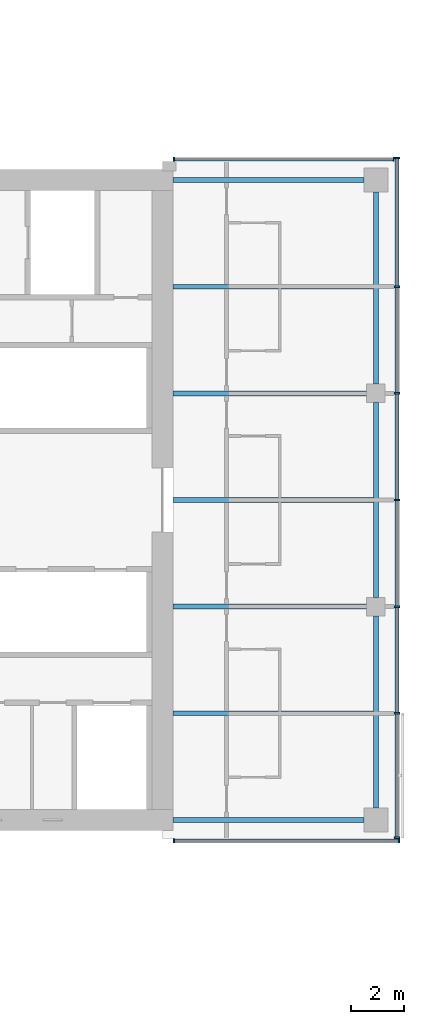
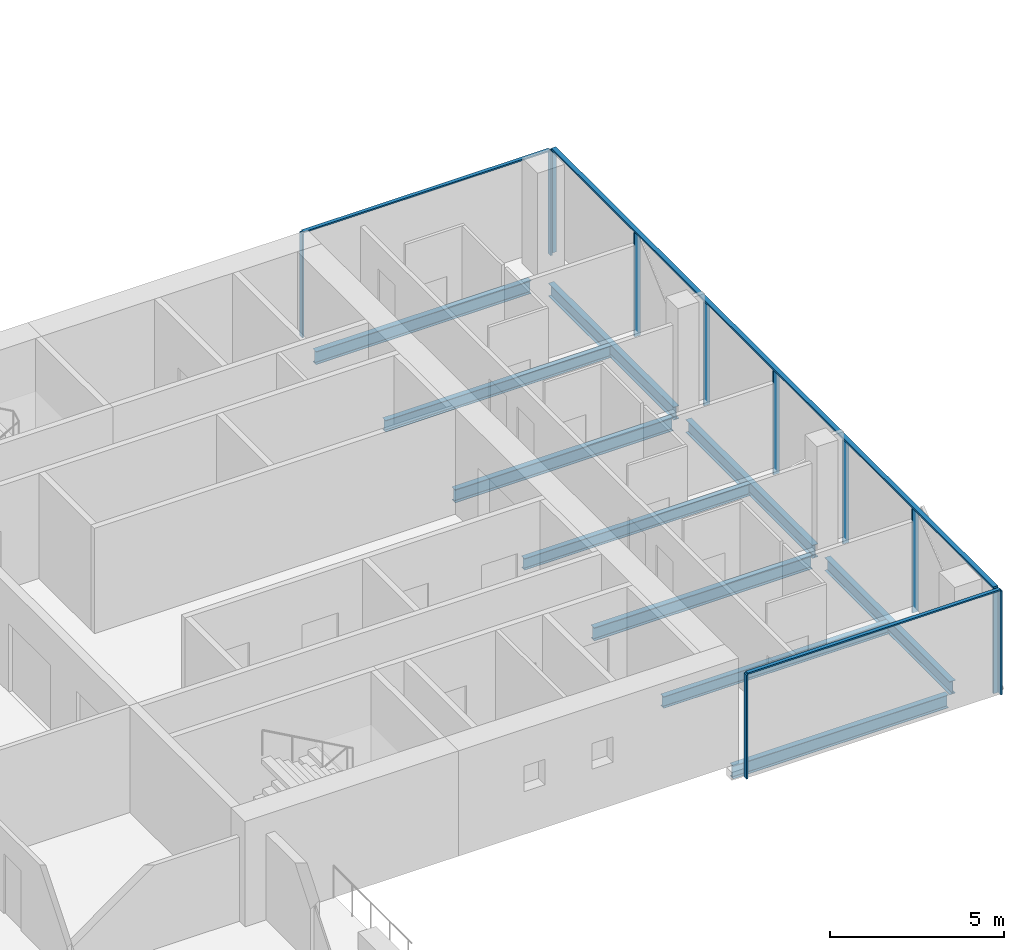
# One storey, part 11 of 29: 14 members, 10 beams, 3 elements without a shape of their own.
"""IFC4 building model written with IfcOpenShell, lengths in metres."""

from ifc_helpers import new_model, si_unit, direction, frame, origin, origin_2d, place, context, subcontext, project, spatial, rectangle, i_section, extrude, material, material_profile, profile_set, type_object, element, aggregate, save


model = new_model("IFC4")

# Units and contexts
model_context = context("Model", 3, precision=1e-05, world=origin(), true_north=direction((0.0, 1.0)))
body_context = subcontext(model_context, "Body", "Model", "MODEL_VIEW")
ifc_project = project(units=[si_unit("LENGTHUNIT", "METRE"), si_unit("AREAUNIT", "SQUARE_METRE"), si_unit("VOLUMEUNIT", "CUBIC_METRE"), si_unit("PLANEANGLEUNIT", "RADIAN"), si_unit("MASSUNIT", "GRAM", prefix="KILO")], contexts=[model_context])

# Site, building, storey
site_placement = place(None, origin())
site = spatial("IfcSite", under=ifc_project, at=site_placement, CompositionType="ELEMENT")
building_placement = place(site_placement, origin())
building = spatial("IfcBuilding", under=site, at=building_placement, Name="Crosswind Convention Tower", CompositionType="ELEMENT")
storey_placement = place(building_placement, frame((0.0, 0.0, 57.199951171875)))
storey = spatial("IfcBuildingStorey", under=building, at=storey_placement, Name="L08", CompositionType="ELEMENT", Elevation=57.199951171875)

# Beams
ifc_material_1 = material(Name="Steel S355", Category="steel")
ifc_material_profile_1 = material_profile(ifc_material_1, i_section(OverallWidth=0.1904296875, OverallDepth=0.457275390625, WebThickness=0.009033203125, FlangeThickness=0.014404296875, FilletRadius=0.01025390625, at=origin_2d()), Name="UB 457x191x75")
ifc_profile_set_1 = profile_set([ifc_material_profile_1], Name="Steel S355")
beam_type_1 = type_object("IfcBeamType", Name="Edge beam UB 457x191x75", PredefinedType="SPANDREL", material=ifc_profile_set_1)
for number, where, z_axis, x_axis, name in (
    (1, (153.39990234375, 88.0, -0.508544921875), (1.0, 0.0, 0.0), (0.0, 1.0, 0.0), "B17 L08 edge beam 24"),
    (2, (153.39990234375, 112.0, -0.508544921875), (1.0, 0.0, 0.0), (0.0, 1.0, 0.0), "B17 L08 edge beam 25"),
):
    element("IfcBeam", number, at=place(storey_placement, frame(where, z_axis=z_axis, x_axis=x_axis)), inside=storey, type_object=beam_type_1, Name=name, PredefinedType="SPANDREL", context=body_context, shape_type="SweptSolid", body=[
        extrude(i_section(OverallWidth=0.1904296875, OverallDepth=0.457275390625, WebThickness=0.009033203125, FlangeThickness=0.014404296875, FilletRadius=0.01025390625, at=origin_2d()), origin(), (0.0, 0.0, 1.0), 7.150146484375),
    ])
beam_1_placement = place(storey_placement, frame((161.0, 88.449951171875, -0.508544921875), z_axis=(0.0, 1.0, 0.0), x_axis=(-1.0, 0.0, 0.0)))
element("IfcBeam", 3, at=beam_1_placement, inside=storey, type_object=beam_type_1, Name="B17 L08 edge beam 26", PredefinedType="SPANDREL", context=body_context, shape_type="SweptSolid", body=[
    extrude(i_section(OverallWidth=0.1904296875, OverallDepth=0.457275390625, WebThickness=0.009033203125, FlangeThickness=0.014404296875, FilletRadius=0.01025390625, at=origin_2d()), origin(), (0.0, 0.0, 1.0), 7.199951171875),
])
beam_2_placement = place(storey_placement, frame((161.0, 96.35009765625, -0.508544921875), z_axis=(0.0, 1.0, 0.0), x_axis=(-1.0, 0.0, 0.0)))
element("IfcBeam", 4, at=beam_2_placement, inside=storey, type_object=beam_type_1, Name="B17 L08 edge beam 27", PredefinedType="SPANDREL", context=body_context, shape_type="SweptSolid", body=[
    extrude(i_section(OverallWidth=0.1904296875, OverallDepth=0.457275390625, WebThickness=0.009033203125, FlangeThickness=0.014404296875, FilletRadius=0.01025390625, at=origin_2d()), origin(), (0.0, 0.0, 1.0), 7.2998046875),
])
beam_3_placement = place(storey_placement, frame((161.0, 104.35009765625, -0.508544921875), z_axis=(0.0, 1.0, 0.0), x_axis=(-1.0, 0.0, 0.0)))
element("IfcBeam", 5, at=beam_3_placement, inside=storey, type_object=beam_type_1, Name="B17 L08 edge beam 28", PredefinedType="SPANDREL", context=body_context, shape_type="SweptSolid", body=[
    extrude(i_section(OverallWidth=0.1904296875, OverallDepth=0.457275390625, WebThickness=0.009033203125, FlangeThickness=0.014404296875, FilletRadius=0.01025390625, at=origin_2d()), origin(), (0.0, 0.0, 1.0), 7.199951171875),
])
ifc_material_profile_2 = material_profile(ifc_material_1, i_section(OverallWidth=0.19189453125, OverallDepth=0.463623046875, WebThickness=0.010498046875, FlangeThickness=0.017578125, FilletRadius=0.01025390625, at=origin_2d()), Name="UB 457x191x90")
ifc_profile_set_2 = profile_set([ifc_material_profile_2], Name="Steel S355")
beam_type_2 = type_object("IfcBeamType", Name="Girder at core wall UB 457x191x90", PredefinedType="BEAM", material=ifc_profile_set_2)
for number, where, z_axis, x_axis, name in (
    (6, (153.39990234375, 96.0, -0.51171875), (1.0, 0.0, 0.0), (0.0, 1.0, 0.0), "B24 L08 girder at core wall 11"),
    (7, (153.39990234375, 104.0, -0.51171875), (1.0, 0.0, 0.0), (0.0, 1.0, 0.0), "B24 L08 girder at core wall 12"),
):
    element("IfcBeam", number, at=place(storey_placement, frame(where, z_axis=z_axis, x_axis=x_axis)), inside=storey, type_object=beam_type_2, Name=name, PredefinedType="BEAM", context=body_context, shape_type="SweptSolid", body=[
        extrude(i_section(OverallWidth=0.19189453125, OverallDepth=0.463623046875, WebThickness=0.010498046875, FlangeThickness=0.017578125, FilletRadius=0.01025390625, at=origin_2d()), origin(), (0.0, 0.0, 1.0), 7.25),
    ])

# Curtain wall, members
ifc_material_2 = material(Name="Aluminium unitised curtain wall", Category="aluminium")
curtain_wall_type_1 = type_object("IfcCurtainWallType", Name="CORE END SLOT WALL 160", PredefinedType="USERDEFINED", material=ifc_material_2)
curtain_wall_1_placement = place(storey_placement, origin())
curtain_wall_1 = element("IfcCurtainWall", 8, at=curtain_wall_1_placement, inside=storey, type_object=curtain_wall_type_1, Name="CW6 L08 E-N.1-1 slot", ObjectType="UNITISED", PredefinedType="USERDEFINED")
ifc_material_3 = material(Name="Aluminium mullion", Category="aluminium")
ifc_material_profile_3 = material_profile(ifc_material_3, rectangle(XDim=0.159912109375, YDim=0.050048828125, at=origin_2d()), Name="AL 160X50")
ifc_profile_set_3 = profile_set([ifc_material_profile_3], Name="Aluminium mullion")
member_type_1 = type_object("IfcMemberType", Name="MULLION 50X160", PredefinedType="MULLION", material=ifc_profile_set_3)
member_1_placement = place(storey_placement, frame((161.675048828125, 112.780029296875, -0.280029296875), z_axis=(0.0, 0.0, 1.0), x_axis=(0.0, 1.0, 0.0)))
member_1 = element("IfcMember", 9, at=member_1_placement, type_object=member_type_1, Name="CW6 mullion 1", PredefinedType="MULLION", context=body_context, shape_type="SweptSolid", body=[
    extrude(rectangle(XDim=0.159912109375, YDim=0.050048828125, at=origin_2d()), origin(), (0.0, 0.0, 1.0), 3.650146484375),
])
member_2_placement = place(storey_placement, frame((153.425048828125, 112.780029296875, -0.280029296875), z_axis=(0.0, 0.0, 1.0), x_axis=(0.0, 1.0, 0.0)))
member_2 = element("IfcMember", 10, at=member_2_placement, type_object=member_type_1, Name="CW6 mullion 2", PredefinedType="MULLION", context=body_context, shape_type="SweptSolid", body=[
    extrude(rectangle(XDim=0.159912109375, YDim=0.050048828125, at=origin_2d()), origin(), (0.0, 0.0, 1.0), 3.650146484375),
])

curtain_wall_2_placement = place(storey_placement, origin())
curtain_wall_2 = element("IfcCurtainWall", 11, at=curtain_wall_2_placement, inside=storey, type_object=curtain_wall_type_1, Name="CW6 L08 E-S.2-1 slot", ObjectType="UNITISED", PredefinedType="USERDEFINED")
member_3_placement = place(storey_placement, frame((153.425048828125, 87.219970703125, -0.280029296875), z_axis=(0.0, 0.0, 1.0), x_axis=(0.0, -1.0, 0.0)))
member_3 = element("IfcMember", 12, at=member_3_placement, type_object=member_type_1, Name="CW6 mullion 1", PredefinedType="MULLION", context=body_context, shape_type="SweptSolid", body=[
    extrude(rectangle(XDim=0.159912109375, YDim=0.050048828125, at=origin_2d()), origin(), (0.0, 0.0, 1.0), 3.650146484375),
])
member_4_placement = place(storey_placement, frame((161.875, 87.219970703125, -0.280029296875), z_axis=(0.0, 0.0, 1.0), x_axis=(0.0, -1.0, 0.0)))
member_4 = element("IfcMember", 13, at=member_4_placement, type_object=member_type_1, Name="CW6 mullion 2", PredefinedType="MULLION", context=body_context, shape_type="SweptSolid", body=[
    extrude(rectangle(XDim=0.159912109375, YDim=0.050048828125, at=origin_2d()), origin(), (0.0, 0.0, 1.0), 3.650146484375),
])

curtain_wall_type_2 = type_object("IfcCurtainWallType", Name="HOTEL UNITISED WALL 200", PredefinedType="USERDEFINED", material=ifc_material_2)
curtain_wall_3_placement = place(storey_placement, origin())
curtain_wall_3 = element("IfcCurtainWall", 14, at=curtain_wall_3_placement, inside=storey, type_object=curtain_wall_type_2, Name="CW2 L08 E-TIP 1", ObjectType="UNITISED", PredefinedType="USERDEFINED")
ifc_material_profile_4 = material_profile(ifc_material_3, rectangle(XDim=0.199951171875, YDim=0.06494140625, at=origin_2d()), Name="AL 200X65")
ifc_profile_set_4 = profile_set([ifc_material_profile_4], Name="Aluminium mullion")
member_type_2 = type_object("IfcMemberType", Name="MULLION 65X200", PredefinedType="MULLION", material=ifc_profile_set_4)
member_5_placement = place(storey_placement, frame((161.800048828125, 87.33251953125, -0.280029296875), z_axis=(0.0, 0.0, 1.0), x_axis=(1.0, 0.0, 0.0)))
member_5 = element("IfcMember", 15, at=member_5_placement, type_object=member_type_2, Name="CW2 mullion 1", PredefinedType="MULLION", context=body_context, shape_type="SweptSolid", body=[
    extrude(rectangle(XDim=0.199951171875, YDim=0.06494140625, at=origin_2d()), origin(), (0.0, 0.0, 1.0), 3.635009765625),
])
member_6_placement = place(storey_placement, frame((161.800048828125, 92.0, -0.280029296875), z_axis=(0.0, 0.0, 1.0), x_axis=(1.0, 0.0, 0.0)))
member_6 = element("IfcMember", 16, at=member_6_placement, type_object=member_type_2, Name="CW2 mullion 2", PredefinedType="MULLION", context=body_context, shape_type="SweptSolid", body=[
    extrude(rectangle(XDim=0.199951171875, YDim=0.06494140625, at=origin_2d()), origin(), (0.0, 0.0, 1.0), 3.635009765625),
])
member_7_placement = place(storey_placement, frame((161.800048828125, 96.0, -0.280029296875), z_axis=(0.0, 0.0, 1.0), x_axis=(1.0, 0.0, 0.0)))
member_7 = element("IfcMember", 17, at=member_7_placement, type_object=member_type_2, Name="CW2 mullion 3", PredefinedType="MULLION", context=body_context, shape_type="SweptSolid", body=[
    extrude(rectangle(XDim=0.199951171875, YDim=0.06494140625, at=origin_2d()), origin(), (0.0, 0.0, 1.0), 3.635009765625),
])
member_8_placement = place(storey_placement, frame((161.800048828125, 100.0, -0.280029296875), z_axis=(0.0, 0.0, 1.0), x_axis=(1.0, 0.0, 0.0)))
member_8 = element("IfcMember", 18, at=member_8_placement, type_object=member_type_2, Name="CW2 mullion 4", PredefinedType="MULLION", context=body_context, shape_type="SweptSolid", body=[
    extrude(rectangle(XDim=0.199951171875, YDim=0.06494140625, at=origin_2d()), origin(), (0.0, 0.0, 1.0), 3.635009765625),
])
member_9_placement = place(storey_placement, frame((161.800048828125, 104.0, -0.280029296875), z_axis=(0.0, 0.0, 1.0), x_axis=(1.0, 0.0, 0.0)))
member_9 = element("IfcMember", 19, at=member_9_placement, type_object=member_type_2, Name="CW2 mullion 5", PredefinedType="MULLION", context=body_context, shape_type="SweptSolid", body=[
    extrude(rectangle(XDim=0.199951171875, YDim=0.06494140625, at=origin_2d()), origin(), (0.0, 0.0, 1.0), 3.635009765625),
])
member_10_placement = place(storey_placement, frame((161.800048828125, 108.0, -0.280029296875), z_axis=(0.0, 0.0, 1.0), x_axis=(1.0, 0.0, 0.0)))
member_10 = element("IfcMember", 20, at=member_10_placement, type_object=member_type_2, Name="CW2 mullion 6", PredefinedType="MULLION", context=body_context, shape_type="SweptSolid", body=[
    extrude(rectangle(XDim=0.199951171875, YDim=0.06494140625, at=origin_2d()), origin(), (0.0, 0.0, 1.0), 3.635009765625),
])
member_11_placement = place(storey_placement, frame((161.800048828125, 112.827392578125, -0.280029296875), z_axis=(0.0, 0.0, 1.0), x_axis=(1.0, 0.0, 0.0)))
member_11 = element("IfcMember", 21, at=member_11_placement, type_object=member_type_2, Name="CW2 mullion 7", PredefinedType="MULLION", context=body_context, shape_type="SweptSolid", body=[
    extrude(rectangle(XDim=0.199951171875, YDim=0.06494140625, at=origin_2d()), origin(), (0.0, 0.0, 1.0), 3.635009765625),
])

# Beams
ifc_material_profile_5 = material_profile(ifc_material_1, i_section(OverallWidth=0.177734375, OverallDepth=0.406494140625, WebThickness=0.0078125, FlangeThickness=0.0126953125, FilletRadius=0.01025390625, at=origin_2d()), Name="UB 406x178x60")
ifc_profile_set_5 = profile_set([ifc_material_profile_5], Name="Steel S355")
beam_type_3 = type_object("IfcBeamType", Name="Secondary beam UB 406x178x60", PredefinedType="JOIST", material=ifc_profile_set_5)
for number, where, z_axis, x_axis, name in (
    (22, (153.39990234375, 92.0, -0.483154296875), (1.0, 0.0, 0.0), (0.0, 1.0, 0.0), "B10 L08 secondary beam 31"),
    (23, (153.39990234375, 100.0, -0.483154296875), (1.0, 0.0, 0.0), (0.0, 1.0, 0.0), "B10 L08 secondary beam 32"),
    (24, (153.39990234375, 108.0, -0.483154296875), (1.0, 0.0, 0.0), (0.0, 1.0, 0.0), "B10 L08 secondary beam 33"),
):
    element("IfcBeam", number, at=place(storey_placement, frame(where, z_axis=z_axis, x_axis=x_axis)), inside=storey, type_object=beam_type_3, Name=name, PredefinedType="JOIST", context=body_context, shape_type="SweptSolid", body=[
        extrude(i_section(OverallWidth=0.177734375, OverallDepth=0.406494140625, WebThickness=0.0078125, FlangeThickness=0.0126953125, FilletRadius=0.01025390625, at=origin_2d()), origin(), (0.0, 0.0, 1.0), 7.5048828125),
    ])

# Member
ifc_material_4 = material(Name="Aluminium transom", Category="aluminium")
ifc_material_profile_6 = material_profile(ifc_material_4, rectangle(XDim=0.1201171875, YDim=0.050048828125, at=origin_2d()), Name="AL 120X50")
ifc_profile_set_6 = profile_set([ifc_material_profile_6], Name="Aluminium transom")
member_type_3 = type_object("IfcMemberType", Name="TRANSOM 50X120", PredefinedType="USERDEFINED", material=ifc_profile_set_6)
member_12_placement = place(storey_placement, frame((161.64990234375, 112.780029296875, 3.39501953125), z_axis=(-1.0, 0.0, 0.0), x_axis=(0.0, -1.0, 0.0)))
member_12 = element("IfcMember", 25, at=member_12_placement, type_object=member_type_3, Name="CW6 transom", ObjectType="TRANSOM", PredefinedType="USERDEFINED", context=body_context, shape_type="SweptSolid", body=[
    extrude(rectangle(XDim=0.1201171875, YDim=0.050048828125, at=origin_2d()), origin(), (0.0, 0.0, 1.0), 8.199951171875),
])

aggregate(curtain_wall_1, [member_1, member_2, member_12])

member_13_placement = place(storey_placement, frame((153.449951171875, 87.219970703125, 3.39501953125), z_axis=(1.0, 0.0, 0.0), x_axis=(0.0, 1.0, 0.0)))
member_13 = element("IfcMember", 26, at=member_13_placement, type_object=member_type_3, Name="CW6 transom", ObjectType="TRANSOM", PredefinedType="USERDEFINED", context=body_context, shape_type="SweptSolid", body=[
    extrude(rectangle(XDim=0.1201171875, YDim=0.050048828125, at=origin_2d()), origin(), (0.0, 0.0, 1.0), 8.400146484375),
])

aggregate(curtain_wall_2, [member_3, member_4, member_13])

ifc_material_profile_7 = material_profile(ifc_material_4, rectangle(XDim=0.14990234375, YDim=0.06494140625, at=origin_2d()), Name="AL 150X65")
ifc_profile_set_7 = profile_set([ifc_material_profile_7], Name="Aluminium transom")
member_type_4 = type_object("IfcMemberType", Name="TRANSOM 65X150", PredefinedType="USERDEFINED", material=ifc_profile_set_7)
member_14_placement = place(storey_placement, frame((161.800048828125, 87.364990234375, 3.387451171875), z_axis=(0.0, 1.0, 0.0), x_axis=(-1.0, 0.0, 0.0)))
member_14 = element("IfcMember", 27, at=member_14_placement, type_object=member_type_4, Name="CW2 transom", ObjectType="TRANSOM", PredefinedType="USERDEFINED", context=body_context, shape_type="SweptSolid", body=[
    extrude(rectangle(XDim=0.14990234375, YDim=0.06494140625, at=origin_2d()), origin(), (0.0, 0.0, 1.0), 25.429931640625),
])

aggregate(curtain_wall_3, [member_5, member_6, member_7, member_8, member_9, member_10, member_11, member_14])

save(model, "model.ifc")
